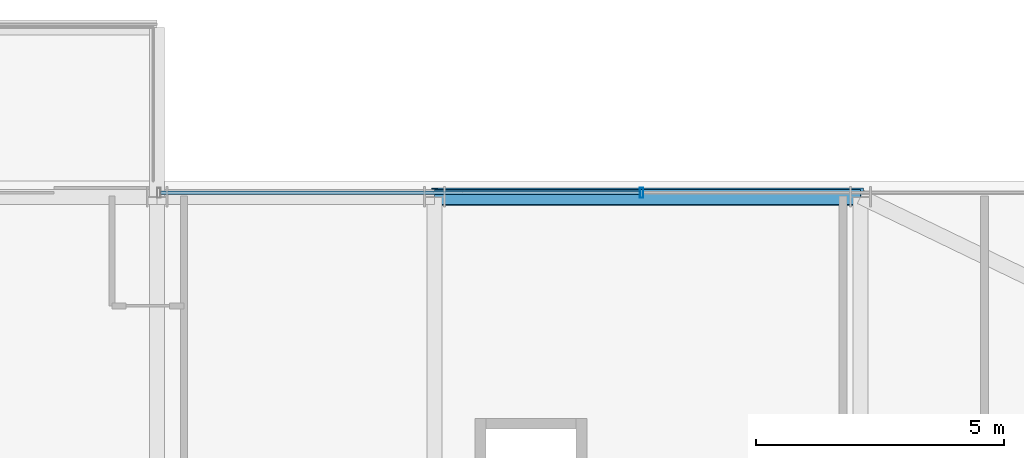
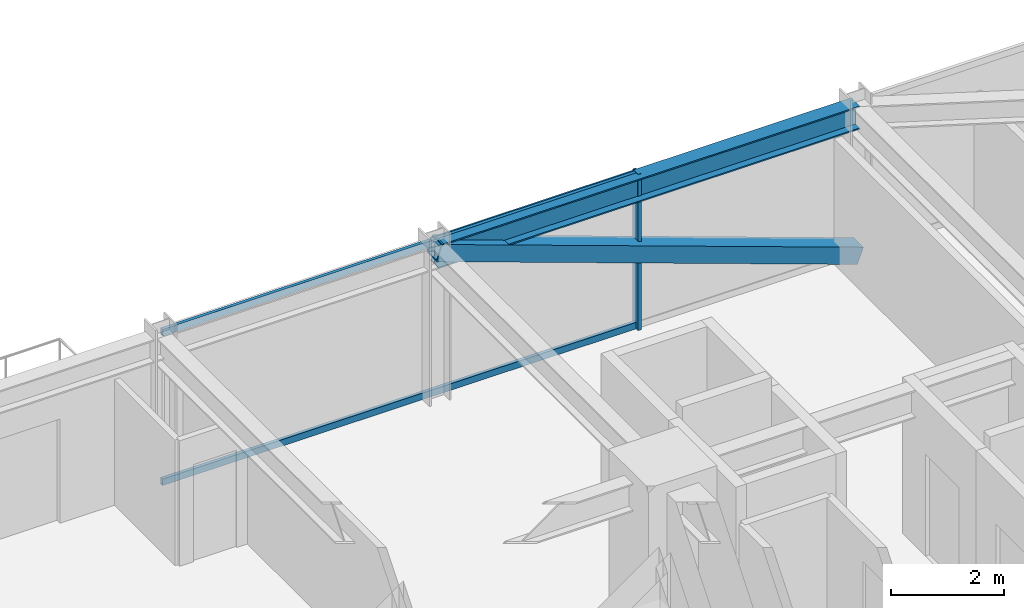
# One storey, part 32 of 47: 4 members, 1 beam, 1 element without a shape of its own.
"""IFC4 building model written with IfcOpenShell, lengths in metres."""

from ifc_helpers import new_model, si_unit, direction, frame, origin, origin_2d, place, context, subcontext, project, spatial, hollow_rectangle, i_section, extrude, source, transform, mapped, material, material_profile, profile_set, type_object, element, aggregate, save


model = new_model("IFC4")

# Units and contexts
model_context = context("Model", 3, precision=1e-05, world=origin(), true_north=direction((0.0, 1.0)))
body_context = subcontext(model_context, "Body", "Model", "MODEL_VIEW")
ifc_project = project(units=[si_unit("LENGTHUNIT", "METRE"), si_unit("AREAUNIT", "SQUARE_METRE"), si_unit("VOLUMEUNIT", "CUBIC_METRE"), si_unit("PLANEANGLEUNIT", "RADIAN"), si_unit("MASSUNIT", "GRAM", prefix="KILO")], contexts=[model_context])

# Site, building, storey
site_placement = place(None, origin())
site = spatial("IfcSite", under=ifc_project, at=site_placement, CompositionType="ELEMENT")
building_placement = place(site_placement, origin())
building = spatial("IfcBuilding", under=site, at=building_placement, Name="Nahalor Promenade Grand Hotel", CompositionType="ELEMENT")
storey_placement = place(building_placement, frame((0.0, 0.0, 68.89990234375)))
storey = spatial("IfcBuildingStorey", under=building, at=storey_placement, Name="L16", CompositionType="ELEMENT", Elevation=68.89990234375)

# Beam
ifc_material_1 = material(Name="Steel S355JR", Category="steel")
ifc_material_profile_1 = material_profile(ifc_material_1, i_section(OverallWidth=0.3, OverallDepth=0.5, WebThickness=0.0145, FlangeThickness=0.028, at=origin_2d()), Name="HEB 500")
ifc_profile_set_1 = profile_set([ifc_material_profile_1], Name="Steel S355JR")
beam_type = type_object("IfcBeamType", Name="Beam-Spandrel-HEB500", PredefinedType="SPANDREL", material=ifc_profile_set_1)
shared_shape_1 = source(origin(), body_context, "Body", "SweptSolid", [
    extrude(i_section(OverallWidth=0.3, OverallDepth=0.5, WebThickness=0.0145, FlangeThickness=0.028, at=origin_2d()), origin(), (0.0, 0.0, 1.0), 8.60009765625),
])
beam_placement = place(storey_placement, frame((8.39990234375, 25.080078125, 3.1201171875), z_axis=(1.0, 0.0, 0.0), x_axis=(0.0, 1.0, 0.0)))
element("IfcBeam", 1, at=beam_placement, inside=storey, type_object=beam_type, Name="BM-L16-SP-N-4", PredefinedType="SPANDREL", context=body_context, shape_type="MappedRepresentation", body=[
    mapped(shared_shape_1, transform((0.0, 0.0, 0.0), scale=1.0)),
])

# Member
ifc_material_profile_2 = material_profile(ifc_material_1, hollow_rectangle(XDim=0.35, YDim=0.35, WallThickness=0.02, at=origin_2d()), Name="SHS 350x350x20")
ifc_profile_set_2 = profile_set([ifc_material_profile_2], Name="Steel S355JR")
member_type_1 = type_object("IfcMemberType", Name="Mem-VoidBrace-SHS350", PredefinedType="BRACE", material=ifc_profile_set_2)
shared_shape_2 = source(origin(), body_context, "Body", "SweptSolid", [
    extrude(hollow_rectangle(XDim=0.35, YDim=0.35, WallThickness=0.02, at=origin_2d()), origin(), (0.0, 0.0, 1.0), 9.131591796875),
])
member_1_placement = place(storey_placement, frame((17.0, 25.080078125, 0.150146484375), z_axis=(-0.941790292179, 0.0, 0.336200900589), x_axis=(0.0, -1.0, 0.0)))
element("IfcMember", 2, at=member_1_placement, inside=storey, type_object=member_type_1, Name="EXO-L16-N-1", PredefinedType="BRACE", context=body_context, shape_type="MappedRepresentation", body=[
    mapped(shared_shape_2, transform((0.0, 0.0, 0.0), scale=1.0)),
])

# Curtain wall, members
ifc_material_2 = material(Name="Anodised Bronze Aluminium EN AW-6063 T6", Category="aluminium")
curtain_wall_type = type_object("IfcCurtainWallType", Name="CW3 Elliptical-Void Collar Unitised Curtain Wall", PredefinedType="USERDEFINED", material=ifc_material_2)
curtain_wall_placement = place(storey_placement, origin())
curtain_wall = element("IfcCurtainWall", 3, at=curtain_wall_placement, inside=storey, type_object=curtain_wall_type, Name="L16 Curtain Wall CW-L16-N-3", ObjectType="UNITISED_CURTAIN_WALL", PredefinedType="USERDEFINED")
ifc_material_profile_3 = material_profile(ifc_material_2, hollow_rectangle(XDim=0.07, YDim=0.2, WallThickness=0.005, at=origin_2d()), Name="CWM 70x200x5")
ifc_profile_set_3 = profile_set([ifc_material_profile_3], Name="Anodised Bronze Aluminium EN AW-6063 T6")
member_type_2 = type_object("IfcMemberType", Name="CWM3 Void Collar Mullion 70x200", PredefinedType="MULLION", material=ifc_profile_set_3)
shared_shape_3 = source(origin(), body_context, "Body", "SweptSolid", [
    extrude(hollow_rectangle(XDim=0.07, YDim=0.2, WallThickness=0.005, at=origin_2d()), origin(), (0.0, 0.0, 1.0), 3.3701171875),
])
member_2_placement = place(storey_placement, frame((12.580078125, 25.159912109375, 0.0), z_axis=(0.0, 0.0, 1.0), x_axis=(1.0, 0.0, 0.0)))
member_2 = element("IfcMember", 4, at=member_2_placement, type_object=member_type_2, Name="CW-L16-N-3 Mullion 1", PredefinedType="MULLION", context=body_context, shape_type="MappedRepresentation", body=[
    mapped(shared_shape_3, transform((0.0, 0.0, 0.0), scale=1.0)),
])
ifc_material_profile_4 = material_profile(ifc_material_2, hollow_rectangle(XDim=0.07, YDim=0.14, WallThickness=0.004, at=origin_2d()), Name="CWT 70x140x4")
ifc_profile_set_4 = profile_set([ifc_material_profile_4], Name="Anodised Bronze Aluminium EN AW-6063 T6")
member_type_3 = type_object("IfcMemberType", Name="CWT3 Void Collar Transom 70x140", PredefinedType="USERDEFINED", material=ifc_profile_set_4)
shared_shape_4 = source(origin(), body_context, "Body", "SweptSolid", [
    extrude(hollow_rectangle(XDim=0.07, YDim=0.14, WallThickness=0.004, at=origin_2d()), origin(), (0.0, 0.0, 1.0), 9.6748046875),
])
member_3_placement = place(storey_placement, frame((2.8701171875, 25.159912109375, 0.070068359375), z_axis=(1.0, 0.0, 0.0), x_axis=(0.0, 1.0, 0.0)))
member_3 = element("IfcMember", 5, at=member_3_placement, type_object=member_type_3, Name="CW-L16-N-3 Transom 0-0", ObjectType="TRANSOM", PredefinedType="USERDEFINED", context=body_context, shape_type="MappedRepresentation", body=[
    mapped(shared_shape_4, transform((0.0, 0.0, 0.0), scale=1.0)),
])
member_4_placement = place(storey_placement, frame((2.8701171875, 25.159912109375, 3.300048828125), z_axis=(1.0, 0.0, 0.0), x_axis=(0.0, 1.0, 0.0)))
member_4 = element("IfcMember", 6, at=member_4_placement, type_object=member_type_3, Name="CW-L16-N-3 Transom 0-1", ObjectType="TRANSOM", PredefinedType="USERDEFINED", context=body_context, shape_type="MappedRepresentation", body=[
    mapped(shared_shape_4, transform((0.0, 0.0, 0.0), scale=1.0)),
])
aggregate(curtain_wall, [member_2, member_3, member_4])

save(model, "model.ifc")
